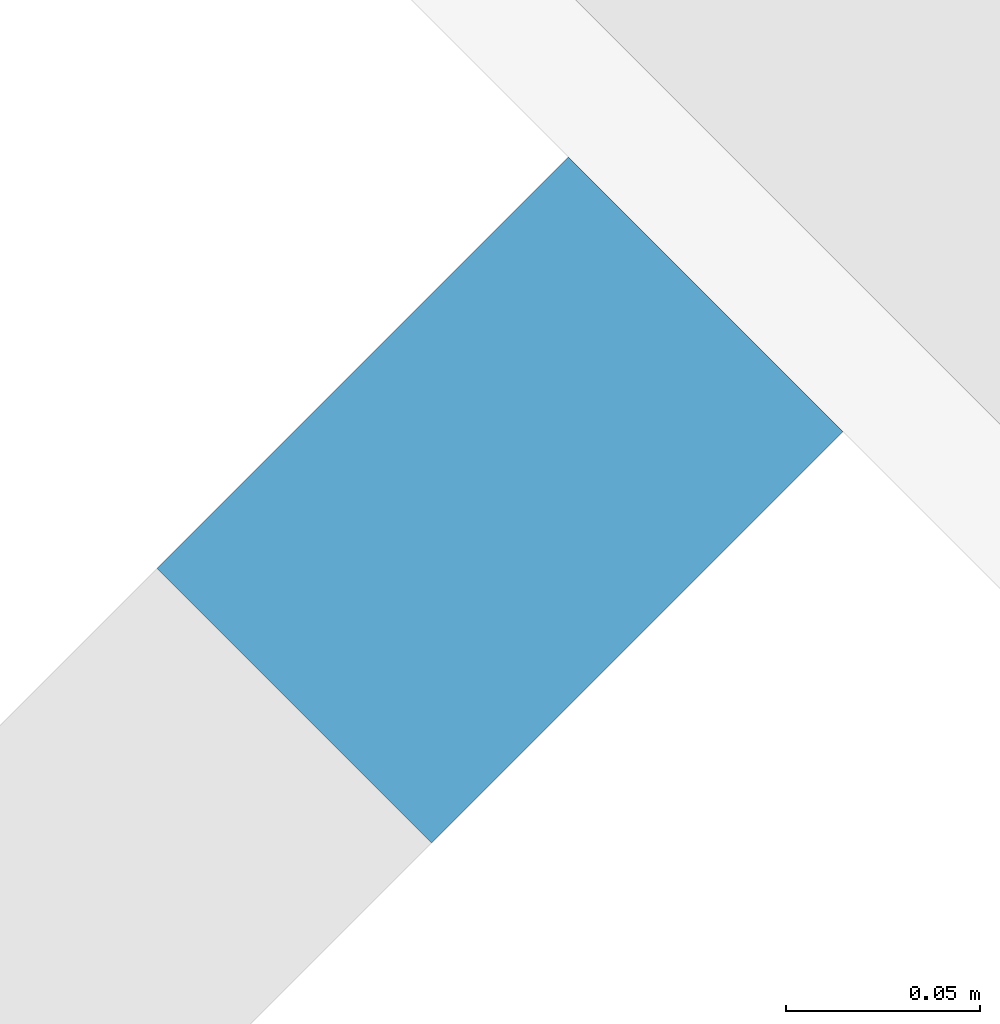
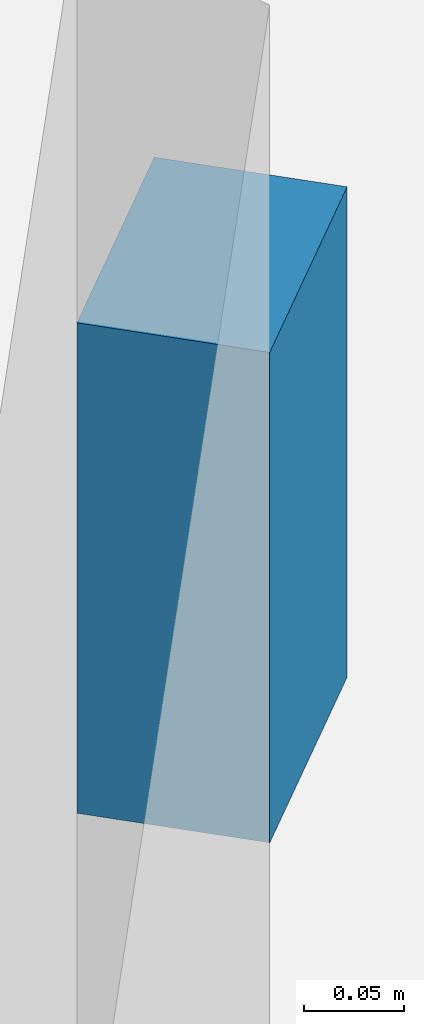
# One storey, part 10 of 33: 1 discrete accessory.
"""IFC4 building model written with IfcOpenShell, lengths in metres."""

from ifc_helpers import new_model, si_unit, direction, frame, origin, origin_2d, place, context, subcontext, project, spatial, rectangle, extrude, material, type_object, element, save


model = new_model("IFC4")

# Units and contexts
model_context = context("Model", 3, precision=1e-05, world=origin(), true_north=direction((0.0, 1.0)))
body_context = subcontext(model_context, "Body", "Model", "MODEL_VIEW")
ifc_project = project(units=[si_unit("LENGTHUNIT", "METRE"), si_unit("AREAUNIT", "SQUARE_METRE"), si_unit("VOLUMEUNIT", "CUBIC_METRE"), si_unit("PLANEANGLEUNIT", "RADIAN"), si_unit("MASSUNIT", "GRAM", prefix="KILO")], contexts=[model_context])

# Site, building, storey
site_placement = place(None, origin())
site = spatial("IfcSite", under=ifc_project, at=site_placement, CompositionType="ELEMENT")
building_placement = place(site_placement, origin())
building = spatial("IfcBuilding", under=site, at=building_placement, Name="Qamariyya Broadcast Tower", CompositionType="ELEMENT")
storey_placement = place(building_placement, frame((0.0, 0.0, 78.5)))
storey = spatial("IfcBuildingStorey", under=building, at=storey_placement, Name="L16", CompositionType="ELEMENT", Elevation=78.5)

# Discrete accessory
ifc_material = material(Name="Stainless steel 316", Category="steel")
discrete_accessory_type = type_object("IfcDiscreteAccessoryType", Name="Slab edge fixing angle, stainless steel", PredefinedType="BRACKET", material=ifc_material)
discrete_accessory_placement = place(storey_placement, frame((-53.49072265625, -59.01611328125, 3.2998046875), z_axis=(0.0, 0.0, 1.0), x_axis=(0.707106781187, -0.707106781187, 0.0)))
element("IfcDiscreteAccessory", 1, at=discrete_accessory_placement, inside=storey, type_object=discrete_accessory_type, Name="e-br-L16-02-0", PredefinedType="BRACKET", context=body_context, shape_type="SweptSolid", body=[
    extrude(rectangle(XDim=0.10009765625, YDim=0.14990234375, at=origin_2d()), origin(), (0.0, 0.0, 1.0), 0.300048828125),
])

save(model, "model.ifc")
